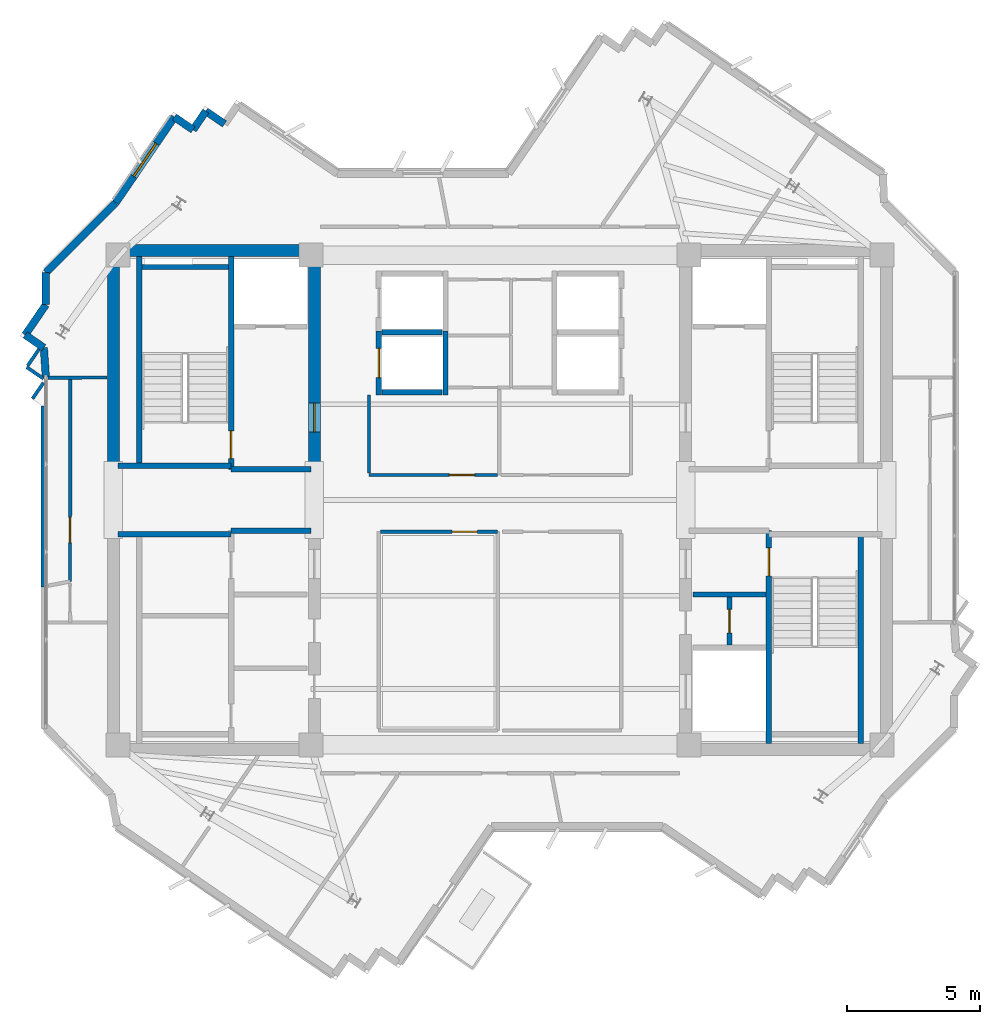
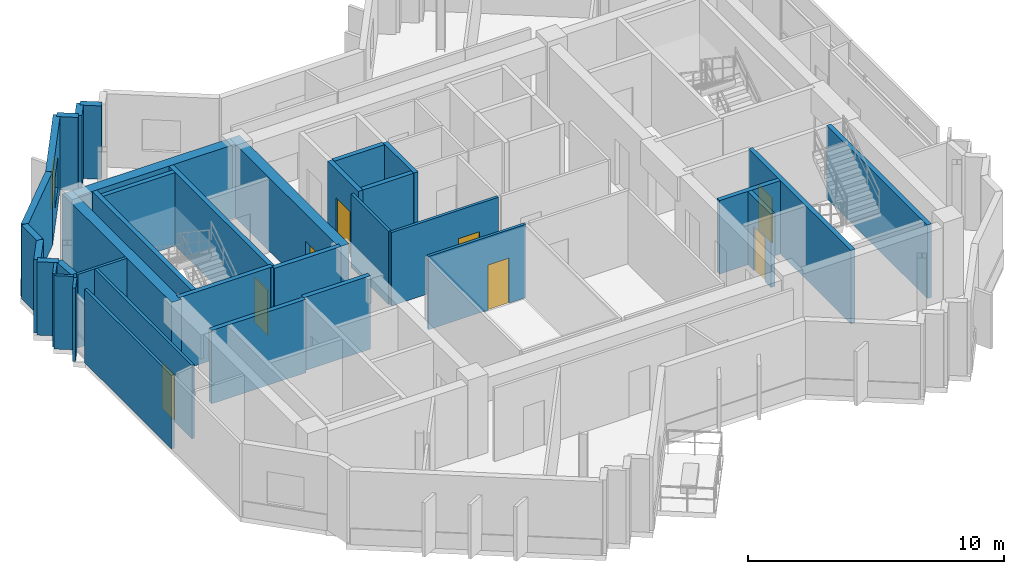
# One storey, part 6 of 11: 36 walls, 8 doors, 1 window, 9 openings.
"""IFC4 building model written with IfcOpenShell, lengths in metres."""

from ifc_helpers import new_model, si_unit, direction, frame, frame_2d, origin, place, context, subcontext, project, spatial, rectangle, extrude, source, transform, mapped, material, layer, layer_set, type_object, element, fill, save


model = new_model("IFC4")

# Units and contexts
model_context = context("Model", 3, precision=1e-05, world=origin(), true_north=direction((0.0, 1.0)))
body_context = subcontext(model_context, "Body", "Model", "MODEL_VIEW")
ifc_project = project(units=[si_unit("LENGTHUNIT", "METRE"), si_unit("AREAUNIT", "SQUARE_METRE"), si_unit("VOLUMEUNIT", "CUBIC_METRE"), si_unit("PLANEANGLEUNIT", "RADIAN"), si_unit("MASSUNIT", "GRAM", prefix="KILO")], contexts=[model_context])

# Site, building, storey
site_placement = place(None, origin())
site = spatial("IfcSite", under=ifc_project, at=site_placement, CompositionType="ELEMENT")
building_placement = place(site_placement, origin())
building = spatial("IfcBuilding", under=site, at=building_placement, Name="Zahravan Cultural Tower", CompositionType="ELEMENT")
storey_placement = place(building_placement, frame((0.0, 0.0, 331.050048828125)))
storey = spatial("IfcBuildingStorey", under=building, at=storey_placement, Name="L80", CompositionType="ELEMENT", Elevation=331.050048828125)

# Wall, opening, door
ifc_material_1 = material(Name="Concrete C50/60", Category="concrete")
ifc_layer_1 = layer(ifc_material_1, 0.449951171875)
ifc_layer_set_1 = layer_set([ifc_layer_1], Name="Concrete C50/60")
wall_type_1 = type_object("IfcWallType", Name="CW-SHEAR-450-C50", PredefinedType="SHEAR", material=ifc_layer_set_1)
wall_1_placement = place(storey_placement, frame((29.02490234375, 28.050048828125, 0.0), z_axis=(0.0, 0.0, 1.0), x_axis=(0.0, 1.0, 0.0)))
wall_1 = element("IfcWall", 1, at=wall_1_placement, inside=storey, type_object=wall_type_1, Name="L80 Core Shear Wall CW-W-EN-L80", PredefinedType="SHEAR", context=body_context, shape_type="SweptSolid", body=[
    extrude(rectangle(XDim=8.550048828125, YDim=0.449951171875, at=frame_2d((4.27490234375, 0.0))), origin(), (0.0, 0.0, 1.0), 3.5),
])
opening_1_placement = place(wall_1_placement, frame((1.5, 0.0, 0.0)))
opening_1 = element("IfcOpeningElement", 2, at=opening_1_placement, cuts=wall_1, Name="Opening D-L80-06", PredefinedType="OPENING", context=body_context, shape_type="SweptSolid", body=[
    extrude(rectangle(XDim=1.10009765625, YDim=2.199951171875, at=frame_2d((0.550048828125, 1.10009765625))), frame((0.0, 0.23486328125, 0.0), z_axis=(0.0, -1.0, 0.0), x_axis=(1.0, 0.0, 0.0)), (0.0, 0.0, 1.0), 0.469970703125),
])
ifc_material_2 = material(Name="Steel ASTM A572 Grade 50", Category="steel")
door_type_1 = type_object("IfcDoorType", Name="DR-LOBBY-1100", OperationType="NOTDEFINED", PredefinedType="DOOR", material=ifc_material_2)
shared_shape_1 = source(origin(), body_context, "Body", "SweptSolid", [
    extrude(rectangle(XDim=1.10009765625, YDim=2.199951171875, at=frame_2d((0.550048828125, 1.10009765625))), frame((0.0, 0.02490234375, 0.0), z_axis=(0.0, -1.0, 0.0), x_axis=(1.0, 0.0, 0.0)), (0.0, 0.0, 1.0), 0.050048828125),
])
door_1_placement = place(opening_1_placement, origin())
door_1 = element("IfcDoor", 3, at=door_1_placement, inside=storey, type_object=door_type_1, Name="L80 Door D-L80-06", OperationType="SINGLE_SWING_LEFT", OverallHeight=2.199951171875, OverallWidth=1.10009765625, PredefinedType="DOOR", context=body_context, shape_type="MappedRepresentation", body=[
    mapped(shared_shape_1, transform((0.0, 0.0, 0.0), x_axis=(1.0, 0.0, 0.0), y_axis=(0.0, 1.0, 0.0), z_axis=(0.0, 0.0, 1.0), scale=1.0)),
])
fill(opening_1, door_1)

# Wall, opening, window
ifc_material_3 = material(Name="Precast concrete C40/50", Category="concrete")
ifc_layer_2 = layer(ifc_material_3, 0.280029296875)
ifc_layer_set_2 = layer_set([ifc_layer_2], Name="Precast concrete C40/50")
wall_type_2 = type_object("IfcWallType", Name="EW-TC-280", PredefinedType="SOLIDWALL", material=ifc_layer_set_2)
wall_2_placement = place(storey_placement, frame((21.56298828125, 38.1650390625, 0.0), z_axis=(0.0, 0.0, 1.0), x_axis=(0.564961879511, 0.825117006672, 0.0)))
wall_2 = element("IfcWall", 4, at=wall_2_placement, inside=storey, type_object=wall_type_2, Name="L80 Exterior Masonry Frame Wall 07", PredefinedType="SOLIDWALL", context=body_context, shape_type="SweptSolid", body=[
    extrude(rectangle(XDim=3.90380859375, YDim=0.280029296875, at=frame_2d((1.951904296875, 0.0))), origin(), (0.0, 0.0, 1.0), 3.5),
])
opening_2_placement = place(wall_2_placement, frame((1.201904296875, 0.0, 0.85009765625)))
opening_2 = element("IfcOpeningElement", 5, at=opening_2_placement, cuts=wall_2, Name="Opening WN-03", PredefinedType="OPENING", context=body_context, shape_type="SweptSolid", body=[
    extrude(rectangle(XDim=1.5, YDim=1.5, at=frame_2d((0.75, 0.75))), frame((0.0, 0.14990234375, 0.0), z_axis=(0.0, -1.0, 0.0), x_axis=(1.0, 0.0, 0.0)), (0.0, 0.0, 1.0), 0.300048828125),
])
ifc_material_4 = material(Name="Low-E solar-control double glazing", Category="glass")
window_type = type_object("IfcWindowType", Name="WN-REC-1500X1500", PartitioningType="SINGLE_PANEL", PredefinedType="WINDOW", material=ifc_material_4)
shared_shape_2 = source(origin(), body_context, "Body", "SweptSolid", [
    extrude(rectangle(XDim=1.5, YDim=1.5, at=frame_2d((0.75, 0.75))), frame((0.0, 0.030029296875, 0.0), z_axis=(0.0, -1.0, 0.0), x_axis=(1.0, 0.0, 0.0)), (0.0, 0.0, 1.0), 0.06005859375),
])
window_placement = place(opening_2_placement, origin())
window = element("IfcWindow", 6, at=window_placement, inside=storey, type_object=window_type, Name="L80 Recessed Solar Window 02", OverallHeight=1.5, OverallWidth=1.5, PartitioningType="SINGLE_PANEL", PredefinedType="WINDOW", context=body_context, shape_type="MappedRepresentation", body=[
    mapped(shared_shape_2, transform((0.0, 0.0, 0.0), x_axis=(1.0, 0.0, 0.0), y_axis=(0.0, 1.0, 0.0), z_axis=(0.0, 0.0, 1.0), scale=1.0)),
])
fill(opening_2, window)

# Wall, opening, door
ifc_material_5 = material(Name="Gypsum plasterboard partition")
ifc_layer_3 = layer(ifc_material_5, 0.179931640625)
ifc_layer_set_3 = layer_set([ifc_layer_3], Name="Gypsum plasterboard partition")
wall_type_3 = type_object("IfcWallType", Name="W-COMP-180", PredefinedType="PARTITIONING", material=ifc_layer_set_3)
wall_3_placement = place(storey_placement, frame((44.6201171875, 21.550048828125, 0.0), z_axis=(0.0, 0.0, 1.0), x_axis=(0.0, 1.0, 0.0)))
wall_3 = element("IfcWall", 7, at=wall_3_placement, inside=storey, type_object=wall_type_3, Name="L80 Interior Wall 028", PredefinedType="PARTITIONING", context=body_context, shape_type="SweptSolid", body=[
    extrude(rectangle(XDim=1.800048828125, YDim=0.179931640625, at=frame_2d((0.89990234375, 0.0))), origin(), (0.0, 0.0, 1.0), 3.5),
])
opening_3_placement = place(wall_3_placement, frame((0.4599609375, 0.0, 0.0)))
opening_3 = element("IfcOpeningElement", 8, at=opening_3_placement, cuts=wall_3, Name="Opening D-L80-13", PredefinedType="OPENING", context=body_context, shape_type="SweptSolid", body=[
    extrude(rectangle(XDim=0.8798828125, YDim=2.10009765625, at=frame_2d((0.43994140625, 1.050048828125))), frame((0.0, 0.099853515625, 0.0), z_axis=(0.0, -1.0, 0.0), x_axis=(1.0, 0.0, 0.0)), (0.0, 0.0, 1.0), 0.199951171875),
])
door_type_2 = type_object("IfcDoorType", Name="DR-SVC-880", OperationType="NOTDEFINED", PredefinedType="DOOR", material=ifc_material_2)
shared_shape_3 = source(origin(), body_context, "Body", "SweptSolid", [
    extrude(rectangle(XDim=0.8798828125, YDim=2.10009765625, at=frame_2d((0.43994140625, 1.050048828125))), frame((0.0, 0.02490234375, 0.0), z_axis=(0.0, -1.0, 0.0), x_axis=(1.0, 0.0, 0.0)), (0.0, 0.0, 1.0), 0.050048828125),
])
door_2_placement = place(opening_3_placement, origin())
door_2 = element("IfcDoor", 9, at=door_2_placement, inside=storey, type_object=door_type_2, Name="L80 Door D-L80-13", OperationType="SINGLE_SWING_RIGHT", OverallHeight=2.10009765625, OverallWidth=0.8798828125, PredefinedType="DOOR", context=body_context, shape_type="MappedRepresentation", body=[
    mapped(shared_shape_3, transform((0.0, 0.0, 0.0), x_axis=(1.0, 0.0, 0.0), y_axis=(0.0, 1.0, 0.0), z_axis=(0.0, 0.0, 1.0), scale=1.0)),
])
fill(opening_3, door_2)

ifc_layer_4 = layer(ifc_material_5, 0.125)
ifc_layer_set_4 = layer_set([ifc_layer_4], Name="Gypsum plasterboard partition")
wall_type_4 = type_object("IfcWallType", Name="W-PART-125", PredefinedType="PARTITIONING", material=ifc_layer_set_4)
wall_4_placement = place(storey_placement, frame((35.902587890625, 27.93994140625, 0.0), z_axis=(0.0, 0.0, 1.0), x_axis=(-1.0, 0.0, 0.0)))
wall_4 = element("IfcWall", 10, at=wall_4_placement, inside=storey, type_object=wall_type_4, Name="L80 Interior Wall 051", PredefinedType="PARTITIONING", context=body_context, shape_type="SweptSolid", body=[
    extrude(rectangle(XDim=4.822509765625, YDim=0.125, at=frame_2d((2.4111328125, 0.0))), origin(), (0.0, 0.0, 1.0), 3.5),
])
opening_4_placement = place(wall_4_placement, frame((0.85205078125, 0.0, 0.0)))
opening_4 = element("IfcOpeningElement", 11, at=opening_4_placement, cuts=wall_4, Name="Opening D-L80-18", PredefinedType="OPENING", context=body_context, shape_type="SweptSolid", body=[
    extrude(rectangle(XDim=0.949951171875, YDim=2.14990234375, at=frame_2d((0.47509765625, 1.074951171875))), frame((0.0, 0.072509765625, 0.0), z_axis=(0.0, -1.0, 0.0), x_axis=(1.0, 0.0, 0.0)), (0.0, 0.0, 1.0), 0.14501953125),
])
ifc_material_6 = material(Name="Anodised bronze-aluminium mullion", Category="aluminium")
door_type_3 = type_object("IfcDoorType", Name="DR-ROOM-950", OperationType="NOTDEFINED", PredefinedType="DOOR", material=ifc_material_6)
shared_shape_4 = source(origin(), body_context, "Body", "SweptSolid", [
    extrude(rectangle(XDim=0.949951171875, YDim=2.14990234375, at=frame_2d((0.47509765625, 1.074951171875))), frame((0.0, 0.02490234375, 0.0), z_axis=(0.0, -1.0, 0.0), x_axis=(1.0, 0.0, 0.0)), (0.0, 0.0, 1.0), 0.050048828125),
])
door_3_placement = place(opening_4_placement, origin())
door_3 = element("IfcDoor", 12, at=door_3_placement, inside=storey, type_object=door_type_3, Name="L80 Door D-L80-18", OperationType="SINGLE_SWING_LEFT", OverallHeight=2.14990234375, OverallWidth=0.949951171875, PredefinedType="DOOR", context=body_context, shape_type="MappedRepresentation", body=[
    mapped(shared_shape_4, transform((0.0, 0.0, 0.0), x_axis=(1.0, 0.0, 0.0), y_axis=(0.0, 1.0, 0.0), z_axis=(0.0, 0.0, 1.0), scale=1.0)),
])
fill(opening_4, door_3)

wall_5_placement = place(storey_placement, frame((19.8525390625, 31.530029296875, 0.0), z_axis=(0.0, 0.0, 1.0), x_axis=(-0.000321574412, -0.999999948295, 0.0)))
wall_5 = element("IfcWall", 13, at=wall_5_placement, inside=storey, type_object=wall_type_4, Name="L80 Interior Wall 063", PredefinedType="PARTITIONING", context=body_context, shape_type="SweptSolid", body=[
    extrude(rectangle(XDim=7.592041015625, YDim=0.125, at=frame_2d((3.7958984375, 0.0))), origin(), (0.0, 0.0, 1.0), 3.5),
])
opening_5_placement = place(wall_5_placement, frame((5.180908203125, 0.0, 0.0)))
opening_5 = element("IfcOpeningElement", 14, at=opening_5_placement, cuts=wall_5, Name="Opening D-L80-24", PredefinedType="OPENING", context=body_context, shape_type="SweptSolid", body=[
    extrude(rectangle(XDim=0.949951171875, YDim=2.14990234375, at=frame_2d((0.47509765625, 1.074951171875))), frame((0.0, 0.072509765625, 0.0), z_axis=(0.0, -1.0, 0.0), x_axis=(1.0, 0.0, 0.0)), (0.0, 0.0, 1.0), 0.14501953125),
])
door_4_placement = place(opening_5_placement, origin())
door_4 = element("IfcDoor", 15, at=door_4_placement, inside=storey, type_object=door_type_3, Name="L80 Door D-L80-24", OperationType="SINGLE_SWING_LEFT", OverallHeight=2.14990234375, OverallWidth=0.949951171875, PredefinedType="DOOR", context=body_context, shape_type="MappedRepresentation", body=[
    mapped(shared_shape_4, transform((0.0, 0.0, 0.0), x_axis=(1.0, 0.0, 0.0), y_axis=(0.0, 1.0, 0.0), z_axis=(0.0, 0.0, 1.0), scale=1.0)),
])
fill(opening_5, door_4)

wall_6_placement = place(storey_placement, frame((31.507568359375, 25.81005859375, 0.0), z_axis=(0.0, 0.0, 1.0), x_axis=(1.0, 0.0, 0.0)))
wall_6 = element("IfcWall", 16, at=wall_6_placement, inside=storey, type_object=wall_type_4, Name="L80 Interior Wall 085", PredefinedType="PARTITIONING", context=body_context, shape_type="SweptSolid", body=[
    extrude(rectangle(XDim=4.40234375, YDim=0.125, at=frame_2d((2.201171875, 0.0))), origin(), (0.0, 0.0, 1.0), 3.5),
])
opening_6_placement = place(wall_6_placement, frame((2.69287109375, 0.0, 0.0)))
opening_6 = element("IfcOpeningElement", 17, at=opening_6_placement, cuts=wall_6, Name="Opening D-L80-14", PredefinedType="OPENING", context=body_context, shape_type="SweptSolid", body=[
    extrude(rectangle(XDim=0.949951171875, YDim=2.14990234375, at=frame_2d((0.47509765625, 1.074951171875))), frame((0.0, 0.072509765625, 0.0), z_axis=(0.0, -1.0, 0.0), x_axis=(1.0, 0.0, 0.0)), (0.0, 0.0, 1.0), 0.14501953125),
])
door_5_placement = place(opening_6_placement, origin())
door_5 = element("IfcDoor", 18, at=door_5_placement, inside=storey, type_object=door_type_3, Name="L80 Door D-L80-14", OperationType="SINGLE_SWING_LEFT", OverallHeight=2.14990234375, OverallWidth=0.949951171875, PredefinedType="DOOR", context=body_context, shape_type="MappedRepresentation", body=[
    mapped(shared_shape_4, transform((0.0, 0.0, 0.0), x_axis=(1.0, 0.0, 0.0), y_axis=(0.0, 1.0, 0.0), z_axis=(0.0, 0.0, 1.0), scale=1.0)),
])
fill(opening_6, door_5)

ifc_material_7 = material(Name="Concrete C45/55", Category="concrete")
ifc_layer_5 = layer(ifc_material_7, 0.199951171875)
ifc_layer_set_5 = layer_set([ifc_layer_5], Name="Concrete C45/55")
wall_type_5 = type_object("IfcWallType", Name="W-SHAFT-200", PredefinedType="SOLIDWALL", material=ifc_layer_set_5)
wall_7_placement = place(storey_placement, frame((25.89990234375, 28.14990234375, 0.0), z_axis=(0.0, 0.0, 1.0), x_axis=(0.0, 1.0, 0.0)))
wall_7 = element("IfcWall", 19, at=wall_7_placement, inside=storey, type_object=wall_type_5, Name="L80 Interior Wall 006", PredefinedType="SOLIDWALL", context=body_context, shape_type="SweptSolid", body=[
    extrude(rectangle(XDim=8.0, YDim=0.199951171875, at=frame_2d((4.0, 0.0))), origin(), (0.0, 0.0, 1.0), 3.5),
])
opening_7_placement = place(wall_7_placement, frame((0.39990234375, 0.0, 0.0)))
opening_7 = element("IfcOpeningElement", 20, at=opening_7_placement, cuts=wall_7, Name="Opening D-L80-01", PredefinedType="OPENING", context=body_context, shape_type="SweptSolid", body=[
    extrude(rectangle(XDim=1.050048828125, YDim=2.14990234375, at=frame_2d((0.52490234375, 1.074951171875))), frame((0.0, 0.10986328125, 0.0), z_axis=(0.0, -1.0, 0.0), x_axis=(1.0, 0.0, 0.0)), (0.0, 0.0, 1.0), 0.219970703125),
])
door_type_4 = type_object("IfcDoorType", Name="DR-STAIR-1050", OperationType="NOTDEFINED", PredefinedType="DOOR", material=ifc_material_2)
shared_shape_5 = source(origin(), body_context, "Body", "SweptSolid", [
    extrude(rectangle(XDim=1.050048828125, YDim=2.14990234375, at=frame_2d((0.52490234375, 1.074951171875))), frame((0.0, 0.02490234375, 0.0), z_axis=(0.0, -1.0, 0.0), x_axis=(1.0, 0.0, 0.0)), (0.0, 0.0, 1.0), 0.050048828125),
])
door_6_placement = place(opening_7_placement, origin())
door_6 = element("IfcDoor", 21, at=door_6_placement, inside=storey, type_object=door_type_4, Name="L80 Door D-L80-01", OperationType="SINGLE_SWING_RIGHT", OverallHeight=2.14990234375, OverallWidth=1.050048828125, PredefinedType="DOOR", context=body_context, shape_type="MappedRepresentation", body=[
    mapped(shared_shape_5, transform((0.0, 0.0, 0.0), x_axis=(1.0, 0.0, 0.0), y_axis=(0.0, 1.0, 0.0), z_axis=(0.0, 0.0, 1.0), scale=1.0)),
])
fill(opening_7, door_6)

wall_8_placement = place(storey_placement, frame((46.10009765625, 17.85009765625, 0.0), z_axis=(0.0, 0.0, 1.0), x_axis=(0.0, 1.0, 0.0)))
wall_8 = element("IfcWall", 22, at=wall_8_placement, inside=storey, type_object=wall_type_5, Name="L80 Interior Wall 007", PredefinedType="SOLIDWALL", context=body_context, shape_type="SweptSolid", body=[
    extrude(rectangle(XDim=8.0, YDim=0.199951171875, at=frame_2d((4.0, 0.0))), origin(), (0.0, 0.0, 1.0), 3.5),
])
opening_8_placement = place(wall_8_placement, frame((6.300048828125, 0.0, 0.0)))
opening_8 = element("IfcOpeningElement", 23, at=opening_8_placement, cuts=wall_8, Name="Opening D-L80-03", PredefinedType="OPENING", context=body_context, shape_type="SweptSolid", body=[
    extrude(rectangle(XDim=1.050048828125, YDim=2.14990234375, at=frame_2d((0.52490234375, 1.074951171875))), frame((0.0, 0.10986328125, 0.0), z_axis=(0.0, -1.0, 0.0), x_axis=(1.0, 0.0, 0.0)), (0.0, 0.0, 1.0), 0.219970703125),
])
door_7_placement = place(opening_8_placement, origin())
door_7 = element("IfcDoor", 24, at=door_7_placement, inside=storey, type_object=door_type_4, Name="L80 Door D-L80-03", OperationType="SINGLE_SWING_RIGHT", OverallHeight=2.14990234375, OverallWidth=1.050048828125, PredefinedType="DOOR", context=body_context, shape_type="MappedRepresentation", body=[
    mapped(shared_shape_5, transform((0.0, 0.0, 0.0), x_axis=(1.0, 0.0, 0.0), y_axis=(0.0, 1.0, 0.0), z_axis=(0.0, 0.0, 1.0), scale=1.0)),
])
fill(opening_8, door_7)

wall_9_placement = place(storey_placement, frame((31.449951171875, 30.949951171875, 0.0), z_axis=(0.0, 0.0, 1.0), x_axis=(0.0, 1.0, 0.0)))
wall_9 = element("IfcWall", 25, at=wall_9_placement, inside=storey, type_object=wall_type_5, Name="L80 Interior Wall 033", PredefinedType="SOLIDWALL", context=body_context, shape_type="SweptSolid", body=[
    extrude(rectangle(XDim=2.400146484375, YDim=0.199951171875, at=frame_2d((1.2001953125, 0.0))), origin(), (0.0, 0.0, 1.0), 3.5),
])
opening_9_placement = place(wall_9_placement, frame((0.64990234375, 0.0, 0.0)))
opening_9 = element("IfcOpeningElement", 26, at=opening_9_placement, cuts=wall_9, Name="Opening LD-L80-05", PredefinedType="OPENING", context=body_context, shape_type="SweptSolid", body=[
    extrude(rectangle(XDim=1.10009765625, YDim=2.14990234375, at=frame_2d((0.550048828125, 1.074951171875))), frame((0.0, 0.10986328125, 0.0), z_axis=(0.0, -1.0, 0.0), x_axis=(1.0, 0.0, 0.0)), (0.0, 0.0, 1.0), 0.219970703125),
])
door_type_5 = type_object("IfcDoorType", Name="DR-LIFT-1100", OperationType="DOUBLE_DOOR_SLIDING", PredefinedType="DOOR", material=ifc_material_2)
shared_shape_6 = source(origin(), body_context, "Body", "SweptSolid", [
    extrude(rectangle(XDim=1.10009765625, YDim=2.14990234375, at=frame_2d((0.550048828125, 1.074951171875))), frame((0.0, 0.02490234375, 0.0), z_axis=(0.0, -1.0, 0.0), x_axis=(1.0, 0.0, 0.0)), (0.0, 0.0, 1.0), 0.050048828125),
])
door_8_placement = place(opening_9_placement, origin())
door_8 = element("IfcDoor", 27, at=door_8_placement, inside=storey, type_object=door_type_5, Name="L80 Door LD-L80-05", OperationType="DOUBLE_DOOR_SLIDING", OverallHeight=2.14990234375, OverallWidth=1.10009765625, PredefinedType="DOOR", context=body_context, shape_type="MappedRepresentation", body=[
    mapped(shared_shape_6, transform((0.0, 0.0, 0.0), x_axis=(1.0, 0.0, 0.0), y_axis=(0.0, 1.0, 0.0), z_axis=(0.0, 0.0, 1.0), scale=1.0)),
])
fill(opening_9, door_8)

# Walls
shared_shape_7 = source(origin(), body_context, "Body", "SweptSolid", [
    extrude(rectangle(XDim=8.550048828125, YDim=0.449951171875, at=frame_2d((4.27490234375, 0.0))), origin(), (0.0, 0.0, 1.0), 3.5),
])
wall_10_placement = place(storey_placement, frame((21.47509765625, 28.050048828125, 0.0), z_axis=(0.0, 0.0, 1.0), x_axis=(0.0, 1.0, 0.0)))
element("IfcWall", 28, at=wall_10_placement, inside=storey, type_object=wall_type_1, Name="L80 Core Shear Wall CW-W-WN-L80", PredefinedType="SHEAR", context=body_context, shape_type="MappedRepresentation", body=[
    mapped(shared_shape_7, transform((0.0, 0.0, 0.0), x_axis=(1.0, 0.0, 0.0), y_axis=(0.0, 1.0, 0.0), z_axis=(0.0, 0.0, 1.0), scale=1.0)),
])
shared_shape_8 = source(origin(), body_context, "Body", "SweptSolid", [
    extrude(rectangle(XDim=7.10009765625, YDim=0.449951171875, at=frame_2d((3.550048828125, 0.0))), origin(), (0.0, 0.0, 1.0), 3.5),
])
wall_11_placement = place(storey_placement, frame((21.699951171875, 36.375, 0.0), z_axis=(0.0, 0.0, 1.0), x_axis=(1.0, 0.0, 0.0)))
element("IfcWall", 29, at=wall_11_placement, inside=storey, type_object=wall_type_1, Name="L80 Core Shear Wall CW-W-N-L80", PredefinedType="SHEAR", context=body_context, shape_type="MappedRepresentation", body=[
    mapped(shared_shape_8, transform((0.0, 0.0, 0.0), x_axis=(1.0, 0.0, 0.0), y_axis=(0.0, 1.0, 0.0), z_axis=(0.0, 0.0, 1.0), scale=1.0)),
])
shared_shape_9 = source(origin(), body_context, "Body", "SweptSolid", [
    extrude(rectangle(XDim=0.85009765625, YDim=0.280029296875, at=frame_2d((0.425048828125, 0.0))), origin(), (0.0, 0.0, 1.0), 3.5),
])
for number, where, z_axis, x_axis, name in (
    (30, (23.7685546875, 41.38623046875, 0.0), (0.0, 0.0, 1.0), (0.825138153006, -0.564930994418, 0.0), "L80 Exterior Masonry Frame Wall 08"),
    (31, (24.469970703125, 40.906005859375, 0.0), (0.0, 0.0, 1.0), (0.564930994418, 0.825138153006, 0.0), "L80 Exterior Masonry Frame Wall 09"),
    (32, (24.9501953125, 41.607421875, 0.0), (0.0, 0.0, 1.0), (0.825138153006, -0.564930994418, 0.0), "L80 Exterior Masonry Frame Wall 10"),
):
    element("IfcWall", number, at=place(storey_placement, frame(where, z_axis=z_axis, x_axis=x_axis)), inside=storey, type_object=wall_type_2, Name=name, PredefinedType="SOLIDWALL", context=body_context, shape_type="MappedRepresentation", body=[
        mapped(shared_shape_9, transform((0.0, 0.0, 0.0), x_axis=(1.0, 0.0, 0.0), y_axis=(0.0, 1.0, 0.0), z_axis=(0.0, 0.0, 1.0), scale=1.0)),
    ])
shared_shape_10 = source(origin(), body_context, "Body", "SweptSolid", [
    extrude(rectangle(XDim=0.849853515625, YDim=0.280029296875, at=frame_2d((0.4248046875, 0.0))), origin(), (0.0, 0.0, 1.0), 3.5),
])
wall_12_placement = place(storey_placement, frame((18.865478515625, 32.720947265625, 0.0), z_axis=(0.0, 0.0, 1.0), x_axis=(-0.825046459993, 0.565064897913, 0.0)))
element("IfcWall", 33, at=wall_12_placement, inside=storey, type_object=wall_type_2, Name="L80 Exterior Masonry Frame Wall 03", PredefinedType="SOLIDWALL", context=body_context, shape_type="MappedRepresentation", body=[
    mapped(shared_shape_10, transform((0.0, 0.0, 0.0), x_axis=(1.0, 0.0, 0.0), y_axis=(0.0, 1.0, 0.0), z_axis=(0.0, 0.0, 1.0), scale=1.0)),
])
shared_shape_11 = source(origin(), body_context, "Body", "SweptSolid", [
    extrude(rectangle(XDim=1.08349609375, YDim=0.280029296875, at=frame_2d((0.541748046875, 0.0))), origin(), (0.0, 0.0, 1.0), 3.5),
])
wall_13_placement = place(storey_placement, frame((18.93994140625, 31.639892578125, 0.0), z_axis=(0.0, 0.0, 1.0), x_axis=(-0.068717036618, 0.997636190642, 0.0)))
element("IfcWall", 34, at=wall_13_placement, inside=storey, type_object=wall_type_2, Name="L80 Exterior Masonry Frame Wall 02", PredefinedType="SOLIDWALL", context=body_context, shape_type="MappedRepresentation", body=[
    mapped(shared_shape_11, transform((0.0, 0.0, 0.0), x_axis=(1.0, 0.0, 0.0), y_axis=(0.0, 1.0, 0.0), z_axis=(0.0, 0.0, 1.0), scale=1.0)),
])
shared_shape_12 = source(origin(), body_context, "Body", "SweptSolid", [
    extrude(rectangle(XDim=1.373046875, YDim=0.280029296875, at=frame_2d((0.6865234375, 0.0))), origin(), (0.0, 0.0, 1.0), 3.5),
])
wall_14_placement = place(storey_placement, frame((18.164306640625, 33.201171875, 0.0), z_axis=(0.0, 0.0, 1.0), x_axis=(0.564875120833, 0.825176404088, 0.0)))
element("IfcWall", 35, at=wall_14_placement, inside=storey, type_object=wall_type_2, Name="L80 Exterior Masonry Frame Wall 04", PredefinedType="SOLIDWALL", context=body_context, shape_type="MappedRepresentation", body=[
    mapped(shared_shape_12, transform((0.0, 0.0, 0.0), x_axis=(1.0, 0.0, 0.0), y_axis=(0.0, 1.0, 0.0), z_axis=(0.0, 0.0, 1.0), scale=1.0)),
])
shared_shape_13 = source(origin(), body_context, "Body", "SweptSolid", [
    extrude(rectangle(XDim=1.207763671875, YDim=0.280029296875, at=frame_2d((0.60400390625, 0.0))), origin(), (0.0, 0.0, 1.0), 3.5),
])
wall_15_placement = place(storey_placement, frame((18.93994140625, 34.334228515625, 0.0), z_axis=(0.0, 0.0, 1.0), x_axis=(0.0, 1.0, 0.0)))
element("IfcWall", 36, at=wall_15_placement, inside=storey, type_object=wall_type_2, Name="L80 Exterior Masonry Frame Wall 05", PredefinedType="SOLIDWALL", context=body_context, shape_type="MappedRepresentation", body=[
    mapped(shared_shape_13, transform((0.0, 0.0, 0.0), x_axis=(1.0, 0.0, 0.0), y_axis=(0.0, 1.0, 0.0), z_axis=(0.0, 0.0, 1.0), scale=1.0)),
])
shared_shape_14 = source(origin(), body_context, "Body", "SweptSolid", [
    extrude(rectangle(XDim=3.70947265625, YDim=0.280029296875, at=frame_2d((1.854736328125, 0.0))), origin(), (0.0, 0.0, 1.0), 3.5),
])
wall_16_placement = place(storey_placement, frame((18.93994140625, 35.5419921875, 0.0), z_axis=(0.0, 0.0, 1.0), x_axis=(0.707106781187, 0.707106781187, 0.0)))
element("IfcWall", 37, at=wall_16_placement, inside=storey, type_object=wall_type_2, Name="L80 Exterior Masonry Frame Wall 06", PredefinedType="SOLIDWALL", context=body_context, shape_type="MappedRepresentation", body=[
    mapped(shared_shape_14, transform((0.0, 0.0, 0.0), x_axis=(1.0, 0.0, 0.0), y_axis=(0.0, 1.0, 0.0), z_axis=(0.0, 0.0, 1.0), scale=1.0)),
])
shared_shape_15 = source(origin(), body_context, "Body", "SweptSolid", [
    extrude(rectangle(XDim=7.869873046875, YDim=0.199951171875, at=frame_2d((3.93505859375, 0.0))), origin(), (0.0, 0.0, 1.0), 3.5),
])
for number, where, z_axis, x_axis, name in (
    (38, (22.449951171875, 28.280029296875, 0.0), (0.0, 0.0, 1.0), (0.0, 1.0, 0.0), "L80 Interior Wall 002"),
    (39, (49.550048828125, 17.85009765625, 0.0), (0.0, 0.0, 1.0), (0.0, 1.0, 0.0), "L80 Interior Wall 003"),
):
    element("IfcWall", number, at=place(storey_placement, frame(where, z_axis=z_axis, x_axis=x_axis)), inside=storey, type_object=wall_type_5, Name=name, PredefinedType="SOLIDWALL", context=body_context, shape_type="MappedRepresentation", body=[
        mapped(shared_shape_15, transform((0.0, 0.0, 0.0), x_axis=(1.0, 0.0, 0.0), y_axis=(0.0, 1.0, 0.0), z_axis=(0.0, 0.0, 1.0), scale=1.0)),
    ])
shared_shape_16 = source(origin(), body_context, "Body", "SweptSolid", [
    extrude(rectangle(XDim=4.25, YDim=0.199951171875, at=frame_2d((2.125, 0.0))), origin(), (0.0, 0.0, 1.0), 3.5),
])
for number, where, z_axis, x_axis, name in (
    (40, (21.64990234375, 25.715087890625, 0.0), (0.0, 0.0, 1.0), (1.0, 0.0, 0.0), "L80 Interior Wall 009"),
    (41, (21.64990234375, 28.284912109375, 0.0), (0.0, 0.0, 1.0), (1.0, 0.0, 0.0), "L80 Interior Wall 011"),
):
    element("IfcWall", number, at=place(storey_placement, frame(where, z_axis=z_axis, x_axis=x_axis)), inside=storey, type_object=wall_type_5, Name=name, PredefinedType="SOLIDWALL", context=body_context, shape_type="MappedRepresentation", body=[
        mapped(shared_shape_16, transform((0.0, 0.0, 0.0), x_axis=(1.0, 0.0, 0.0), y_axis=(0.0, 1.0, 0.0), z_axis=(0.0, 0.0, 1.0), scale=1.0)),
    ])
shared_shape_17 = source(origin(), body_context, "Body", "SweptSolid", [
    extrude(rectangle(XDim=3.0, YDim=0.199951171875, at=frame_2d((1.5, 0.0))), origin(), (0.0, 0.0, 1.0), 3.5),
])
for number, where, z_axis, x_axis, name in (
    (42, (25.89990234375, 25.85009765625, 0.0), (0.0, 0.0, 1.0), (1.0, 0.0, 0.0), "L80 Interior Wall 010"),
    (43, (25.89990234375, 28.14990234375, 0.0), (0.0, 0.0, 1.0), (1.0, 0.0, 0.0), "L80 Interior Wall 012"),
):
    element("IfcWall", number, at=place(storey_placement, frame(where, z_axis=z_axis, x_axis=x_axis)), inside=storey, type_object=wall_type_5, Name=name, PredefinedType="SOLIDWALL", context=body_context, shape_type="MappedRepresentation", body=[
        mapped(shared_shape_17, transform((0.0, 0.0, 0.0), x_axis=(1.0, 0.0, 0.0), y_axis=(0.0, 1.0, 0.0), z_axis=(0.0, 0.0, 1.0), scale=1.0)),
    ])
shared_shape_18 = source(origin(), body_context, "Body", "SweptSolid", [
    extrude(rectangle(XDim=3.25, YDim=0.199951171875, at=frame_2d((1.625, 0.0))), origin(), (0.0, 0.0, 1.0), 3.5),
])
wall_17_placement = place(storey_placement, frame((22.550048828125, 35.75, 0.0), z_axis=(0.0, 0.0, 1.0), x_axis=(1.0, 0.0, 0.0)))
element("IfcWall", 44, at=wall_17_placement, inside=storey, type_object=wall_type_5, Name="L80 Interior Wall 017", PredefinedType="SOLIDWALL", context=body_context, shape_type="MappedRepresentation", body=[
    mapped(shared_shape_18, transform((0.0, 0.0, 0.0), x_axis=(1.0, 0.0, 0.0), y_axis=(0.0, 1.0, 0.0), z_axis=(0.0, 0.0, 1.0), scale=1.0)),
])
shared_shape_19 = source(origin(), body_context, "Body", "SweptSolid", [
    extrude(rectangle(XDim=2.75, YDim=0.199951171875, at=frame_2d((1.375, 0.0))), origin(), (0.0, 0.0, 1.0), 3.5),
])
wall_18_placement = place(storey_placement, frame((43.25, 23.449951171875, 0.0), z_axis=(0.0, 0.0, 1.0), x_axis=(1.0, 0.0, 0.0)))
element("IfcWall", 45, at=wall_18_placement, inside=storey, type_object=wall_type_5, Name="L80 Interior Wall 025", PredefinedType="SOLIDWALL", context=body_context, shape_type="MappedRepresentation", body=[
    mapped(shared_shape_19, transform((0.0, 0.0, 0.0), x_axis=(1.0, 0.0, 0.0), y_axis=(0.0, 1.0, 0.0), z_axis=(0.0, 0.0, 1.0), scale=1.0)),
])
shared_shape_20 = source(origin(), body_context, "Body", "SweptSolid", [
    extrude(rectangle(XDim=2.400146484375, YDim=0.199951171875, at=frame_2d((1.2001953125, 0.0))), origin(), (0.0, 0.0, 1.0), 3.5),
])
wall_19_placement = place(storey_placement, frame((33.949951171875, 30.949951171875, 0.0), z_axis=(0.0, 0.0, 1.0), x_axis=(0.0, 1.0, 0.0)))
element("IfcWall", 46, at=wall_19_placement, inside=storey, type_object=wall_type_5, Name="L80 Interior Wall 034", PredefinedType="SOLIDWALL", context=body_context, shape_type="MappedRepresentation", body=[
    mapped(shared_shape_20, transform((0.0, 0.0, 0.0), x_axis=(1.0, 0.0, 0.0), y_axis=(0.0, 1.0, 0.0), z_axis=(0.0, 0.0, 1.0), scale=1.0)),
])
shared_shape_21 = source(origin(), body_context, "Body", "SweptSolid", [
    extrude(rectangle(XDim=2.260009765625, YDim=0.199951171875, at=frame_2d((1.1298828125, 0.0))), origin(), (0.0, 0.0, 1.0), 3.5),
])
for number, where, z_axis, x_axis, name in (
    (47, (31.570068359375, 33.300048828125, 0.0), (0.0, 0.0, 1.0), (1.0, 0.0, 0.0), "L80 Interior Wall 031"),
    (48, (31.570068359375, 31.050048828125, 0.0), (0.0, 0.0, 1.0), (1.0, 0.0, 0.0), "L80 Interior Wall 035"),
):
    element("IfcWall", number, at=place(storey_placement, frame(where, z_axis=z_axis, x_axis=x_axis)), inside=storey, type_object=wall_type_5, Name=name, PredefinedType="SOLIDWALL", context=body_context, shape_type="MappedRepresentation", body=[
        mapped(shared_shape_21, transform((0.0, 0.0, 0.0), x_axis=(1.0, 0.0, 0.0), y_axis=(0.0, 1.0, 0.0), z_axis=(0.0, 0.0, 1.0), scale=1.0)),
    ])
shared_shape_22 = source(origin(), body_context, "Body", "SweptSolid", [
    extrude(rectangle(XDim=2.9423828125, YDim=0.125, at=frame_2d((1.47119140625, 0.0))), origin(), (0.0, 0.0, 1.0), 3.5),
])
wall_20_placement = place(storey_placement, frame((31.080078125, 28.007568359375, 0.0), z_axis=(0.0, 0.0, 1.0), x_axis=(0.0, 1.0, 0.0)))
element("IfcWall", 49, at=wall_20_placement, inside=storey, type_object=wall_type_4, Name="L80 Interior Wall 052", PredefinedType="PARTITIONING", context=body_context, shape_type="MappedRepresentation", body=[
    mapped(shared_shape_22, transform((0.0, 0.0, 0.0), x_axis=(1.0, 0.0, 0.0), y_axis=(0.0, 1.0, 0.0), z_axis=(0.0, 0.0, 1.0), scale=1.0)),
])
shared_shape_23 = source(origin(), body_context, "Body", "SweptSolid", [
    extrude(rectangle(XDim=2.215087890625, YDim=0.125, at=frame_2d((1.107421875, 0.0))), origin(), (0.0, 0.0, 1.0), 3.5),
])
wall_21_placement = place(storey_placement, frame((21.2451171875, 31.599853515625, 0.0), z_axis=(0.0, 0.0, 1.0), x_axis=(-0.999998633374, -0.001653254657, 0.0)))
element("IfcWall", 50, at=wall_21_placement, inside=storey, type_object=wall_type_4, Name="L80 Interior Wall 062", PredefinedType="PARTITIONING", context=body_context, shape_type="MappedRepresentation", body=[
    mapped(shared_shape_23, transform((0.0, 0.0, 0.0), x_axis=(1.0, 0.0, 0.0), y_axis=(0.0, 1.0, 0.0), z_axis=(0.0, 0.0, 1.0), scale=1.0)),
])
shared_shape_24 = source(origin(), body_context, "Body", "SweptSolid", [
    extrude(rectangle(XDim=0.75732421875, YDim=0.125, at=frame_2d((0.378662109375, 0.0))), origin(), (0.0, 0.0, 1.0), 3.5),
])
wall_22_placement = place(storey_placement, frame((18.256591796875, 32.0439453125, 0.0), z_axis=(0.0, 0.0, 1.0), x_axis=(0.564406554972, 0.825496965896, 0.0)))
element("IfcWall", 51, at=wall_22_placement, inside=storey, type_object=wall_type_4, Name="L80 Interior Wall 068", PredefinedType="PARTITIONING", context=body_context, shape_type="MappedRepresentation", body=[
    mapped(shared_shape_24, transform((0.0, 0.0, 0.0), x_axis=(1.0, 0.0, 0.0), y_axis=(0.0, 1.0, 0.0), z_axis=(0.0, 0.0, 1.0), scale=1.0)),
])
shared_shape_25 = source(origin(), body_context, "Body", "SweptSolid", [
    extrude(rectangle(XDim=6.794677734375, YDim=0.125, at=frame_2d((3.3974609375, 0.0))), origin(), (0.0, 0.0, 1.0), 3.5),
])
wall_23_placement = place(storey_placement, frame((18.820068359375, 23.740234375, 0.0), z_axis=(0.0, 0.0, 1.0), x_axis=(-7.1862312e-05, 0.999999997418, 0.0)))
element("IfcWall", 52, at=wall_23_placement, inside=storey, type_object=wall_type_4, Name="L80 Interior Wall 065", PredefinedType="PARTITIONING", context=body_context, shape_type="MappedRepresentation", body=[
    mapped(shared_shape_25, transform((0.0, 0.0, 0.0), x_axis=(1.0, 0.0, 0.0), y_axis=(0.0, 1.0, 0.0), z_axis=(0.0, 0.0, 1.0), scale=1.0)),
])
shared_shape_26 = source(origin(), body_context, "Body", "SweptSolid", [
    extrude(rectangle(XDim=0.724853515625, YDim=0.125, at=frame_2d((0.3623046875, 0.0))), origin(), (0.0, 0.0, 1.0), 3.5),
])
wall_24_placement = place(storey_placement, frame((18.439697265625, 30.806884765625, 0.0), z_axis=(0.0, 0.0, 1.0), x_axis=(0.563221841823, 0.826305728464, 0.0)))
element("IfcWall", 53, at=wall_24_placement, inside=storey, type_object=wall_type_4, Name="L80 Interior Wall 066", PredefinedType="PARTITIONING", context=body_context, shape_type="MappedRepresentation", body=[
    mapped(shared_shape_26, transform((0.0, 0.0, 0.0), x_axis=(1.0, 0.0, 0.0), y_axis=(0.0, 1.0, 0.0), z_axis=(0.0, 0.0, 1.0), scale=1.0)),
])
shared_shape_27 = source(origin(), body_context, "Body", "SweptSolid", [
    extrude(rectangle(XDim=0.76416015625, YDim=0.125, at=frame_2d((0.382080078125, 0.0))), origin(), (0.0, 0.0, 1.0), 3.5),
])
wall_25_placement = place(storey_placement, frame((18.84912109375, 31.556640625, 0.0), z_axis=(0.0, 0.0, 1.0), x_axis=(-0.82520537731, 0.564832794071, 0.0)))
element("IfcWall", 54, at=wall_25_placement, inside=storey, type_object=wall_type_4, Name="L80 Interior Wall 067", PredefinedType="PARTITIONING", context=body_context, shape_type="MappedRepresentation", body=[
    mapped(shared_shape_27, transform((0.0, 0.0, 0.0), x_axis=(1.0, 0.0, 0.0), y_axis=(0.0, 1.0, 0.0), z_axis=(0.0, 0.0, 1.0), scale=1.0)),
])

save(model, "model.ifc")
